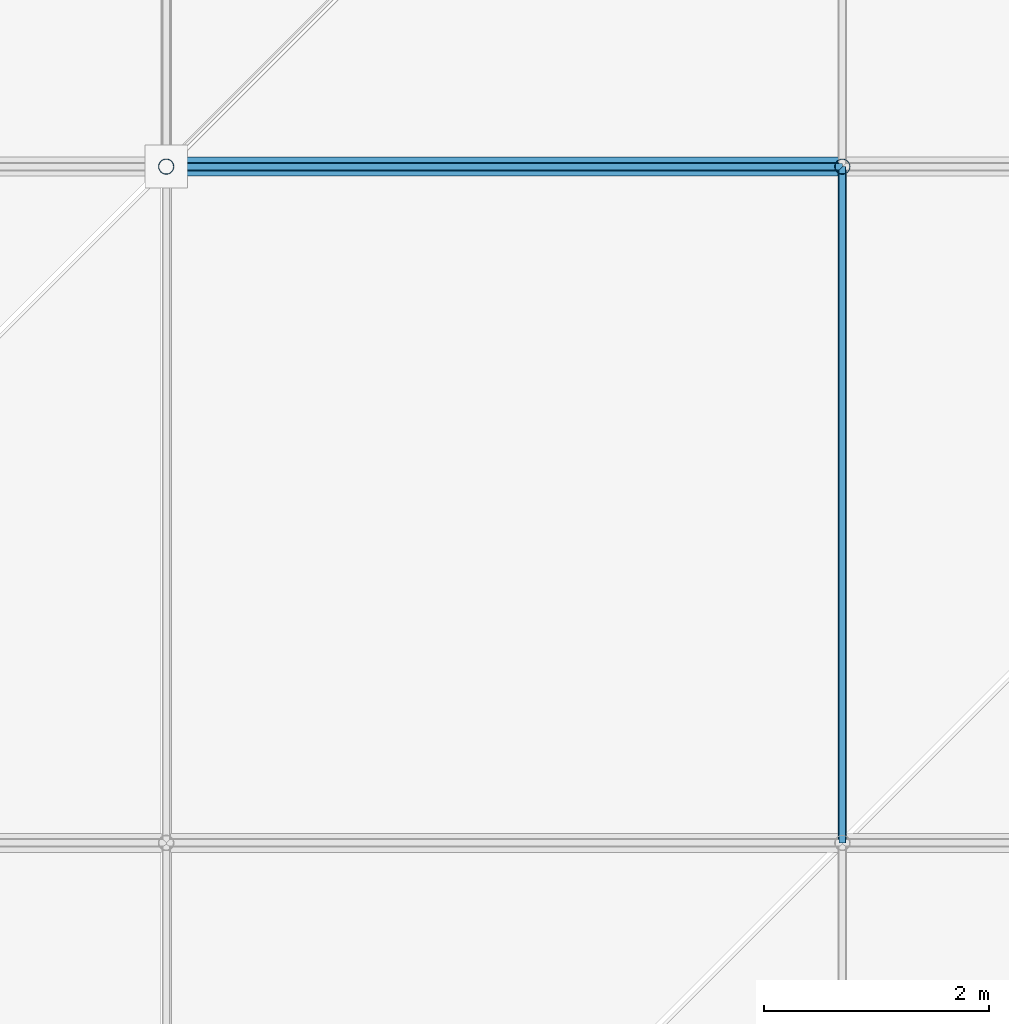
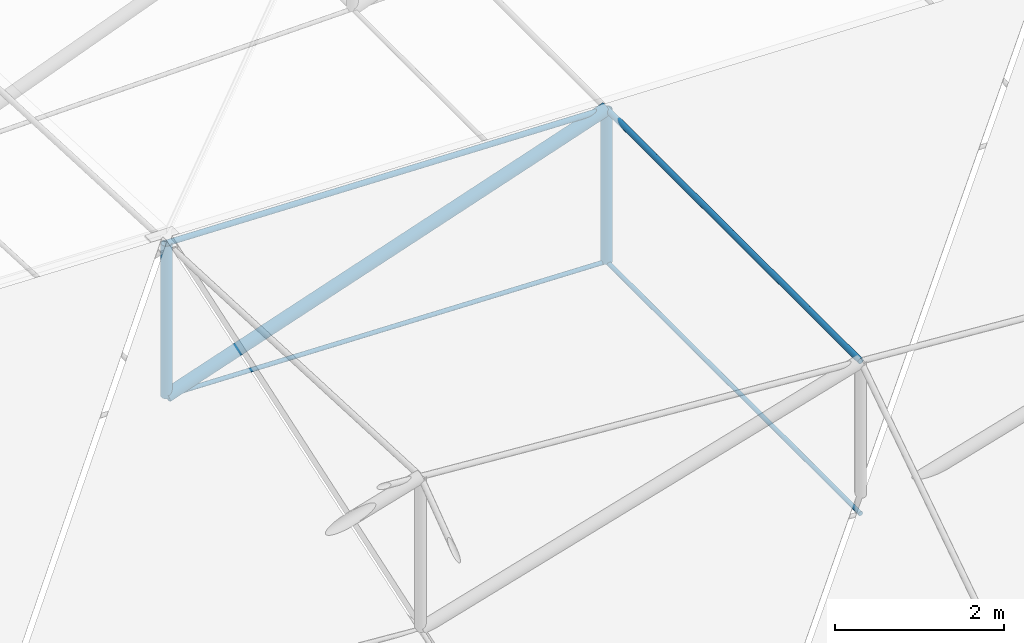
# One storey, part 24 of 132: 7 members.
"""IFC4 building model written with IfcOpenShell, lengths in metres."""

from ifc_helpers import new_model, si_unit, direction, frame, origin, origin_2d, place, context, subcontext, project, spatial, circle, hollow_circle, extrude, material, material_profile, profile_set, type_object, element, save


model = new_model("IFC4")

# Units and contexts
model_context = context("Model", 3, precision=1e-05, world=origin(), true_north=direction((0.0, 1.0)))
body_context = subcontext(model_context, "Body", "Model", "MODEL_VIEW")
ifc_project = project(units=[si_unit("LENGTHUNIT", "METRE"), si_unit("AREAUNIT", "SQUARE_METRE"), si_unit("VOLUMEUNIT", "CUBIC_METRE"), si_unit("PLANEANGLEUNIT", "RADIAN"), si_unit("MASSUNIT", "GRAM", prefix="KILO")], contexts=[model_context])

# Site, building, storey
site_placement = place(None, origin())
site = spatial("IfcSite", under=ifc_project, at=site_placement, CompositionType="ELEMENT")
building_placement = place(site_placement, origin())
building = spatial("IfcBuilding", under=site, at=building_placement, Name="Deido Ridge Mobility Hub", CompositionType="ELEMENT")
storey_placement = place(building_placement, frame((0.0, 0.0, 8.39990234375)))
storey = spatial("IfcBuildingStorey", under=building, at=storey_placement, Name="L02", CompositionType="ELEMENT", Elevation=8.39990234375)

# Members
ifc_material_1 = material(Name="Steel S460M EN 10025-4", Category="steel")
ifc_material_profile_1 = material_profile(ifc_material_1, circle(Radius=0.030029296875, at=origin_2d()), Name="CABLE D60")
ifc_profile_set_1 = profile_set([ifc_material_profile_1], Name="Steel S460M EN 10025-4")
member_type_1 = type_object("IfcMemberType", Name="MEM-CBL-D60", PredefinedType="USERDEFINED", material=ifc_profile_set_1)
member_1_placement = place(storey_placement, frame((24.0, 12.0, 1.96337890625), z_axis=(0.999629695867, 0.0, -0.027211599387), x_axis=(0.0, 1.0, 0.0)))
element("IfcMember", 1, at=member_1_placement, inside=storey, type_object=member_type_1, Name="Saddle lower stabilizing cable CB3", ObjectType="TENSION CABLE", PredefinedType="USERDEFINED", context=body_context, shape_type="SweptSolid", body=[
    extrude(circle(Radius=0.030029296875, at=origin_2d()), origin(), (0.0, 0.0, 1.0), 6.002197265625),
])
member_2_placement = place(storey_placement, frame((30.0, 6.0, 1.800048828125), z_axis=(0.0, 1.0, 0.0), x_axis=(-1.0, 0.0, 0.0)))
element("IfcMember", 2, at=member_2_placement, inside=storey, type_object=member_type_1, Name="Saddle transverse valley cable CB3", ObjectType="TENSION CABLE", PredefinedType="USERDEFINED", context=body_context, shape_type="SweptSolid", body=[
    extrude(circle(Radius=0.030029296875, at=origin_2d()), origin(), (0.0, 0.0, 1.0), 6.0),
])
ifc_material_profile_2 = material_profile(ifc_material_1, circle(Radius=0.0380859375, at=origin_2d()), Name="CABLE D76")
ifc_profile_set_2 = profile_set([ifc_material_profile_2], Name="Steel S460M EN 10025-4")
member_type_2 = type_object("IfcMemberType", Name="MEM-CBL-D76", PredefinedType="USERDEFINED", material=ifc_profile_set_2)
member_3_placement = place(storey_placement, frame((24.0, 12.0, 4.163330078125), z_axis=(0.999629695867, 0.0, -0.027211599387), x_axis=(0.0, 1.0, 0.0)))
element("IfcMember", 3, at=member_3_placement, inside=storey, type_object=member_type_2, Name="Saddle upper longitudinal cable CB2", ObjectType="TENSION CABLE", PredefinedType="USERDEFINED", context=body_context, shape_type="SweptSolid", body=[
    extrude(circle(Radius=0.0380859375, at=origin_2d()), origin(), (0.0, 0.0, 1.0), 6.002197265625),
])
member_4_placement = place(storey_placement, frame((30.0, 6.0, 4.0), z_axis=(0.0, 1.0, 0.0), x_axis=(-1.0, 0.0, 0.0)))
element("IfcMember", 4, at=member_4_placement, inside=storey, type_object=member_type_2, Name="Saddle transverse ridge cable CB2", ObjectType="TENSION CABLE", PredefinedType="USERDEFINED", context=body_context, shape_type="SweptSolid", body=[
    extrude(circle(Radius=0.0380859375, at=origin_2d()), origin(), (0.0, 0.0, 1.0), 6.0),
])
ifc_material_2 = material(Name="Steel S355J2H EN 10210-1", Category="steel")
ifc_material_profile_3 = material_profile(ifc_material_2, hollow_circle(Radius=0.06982421875, WallThickness=0.00634765625, at=origin_2d()), Name="CHS 139.7x6.3")
ifc_profile_set_3 = profile_set([ifc_material_profile_3], Name="Steel S355J2H EN 10210-1")
member_type_3 = type_object("IfcMemberType", Name="MEM-STR-CHS140", PredefinedType="STRUT", material=ifc_profile_set_3)
for number, where, z_axis, x_axis, name in (
    (5, (24.0, 12.0, 1.96337890625), (0.0, 0.0, 1.0), (1.0, 0.0, 0.0), "Cable-net vertical spreader strut SR2"),
    (6, (30.0, 12.0, 1.800048828125), (0.0, 0.0, 1.0), (1.0, 0.0, 0.0), "Cable-net vertical spreader strut SR2"),
):
    element("IfcMember", number, at=place(storey_placement, frame(where, z_axis=z_axis, x_axis=x_axis)), inside=storey, type_object=member_type_3, Name=name, PredefinedType="STRUT", context=body_context, shape_type="SweptSolid", body=[
        extrude(hollow_circle(Radius=0.06982421875, WallThickness=0.00634765625, at=origin_2d()), origin(), (0.0, 0.0, 1.0), 2.199951171875),
    ])
ifc_material_profile_4 = material_profile(ifc_material_2, hollow_circle(Radius=0.084228515625, WallThickness=0.008056640625, at=origin_2d()), Name="CHS 168.3x8")
ifc_profile_set_4 = profile_set([ifc_material_profile_4], Name="Steel S355J2H EN 10210-1")
member_type_4 = type_object("IfcMemberType", Name="MEM-STR-CHS168", PredefinedType="STRUT", material=ifc_profile_set_4)
member_5_placement = place(storey_placement, frame((24.0, 12.0, 1.96337890625), z_axis=(0.946935147416, 0.0, 0.321424682607), x_axis=(0.0, 1.0, 0.0)))
element("IfcMember", 7, at=member_5_placement, inside=storey, type_object=member_type_4, Name="Saddle diagonal web strut SR1", PredefinedType="STRUT", context=body_context, shape_type="SweptSolid", body=[
    extrude(hollow_circle(Radius=0.084228515625, WallThickness=0.008056640625, at=origin_2d()), origin(), (0.0, 0.0, 1.0), 6.336181640625),
])

save(model, "model.ifc")
